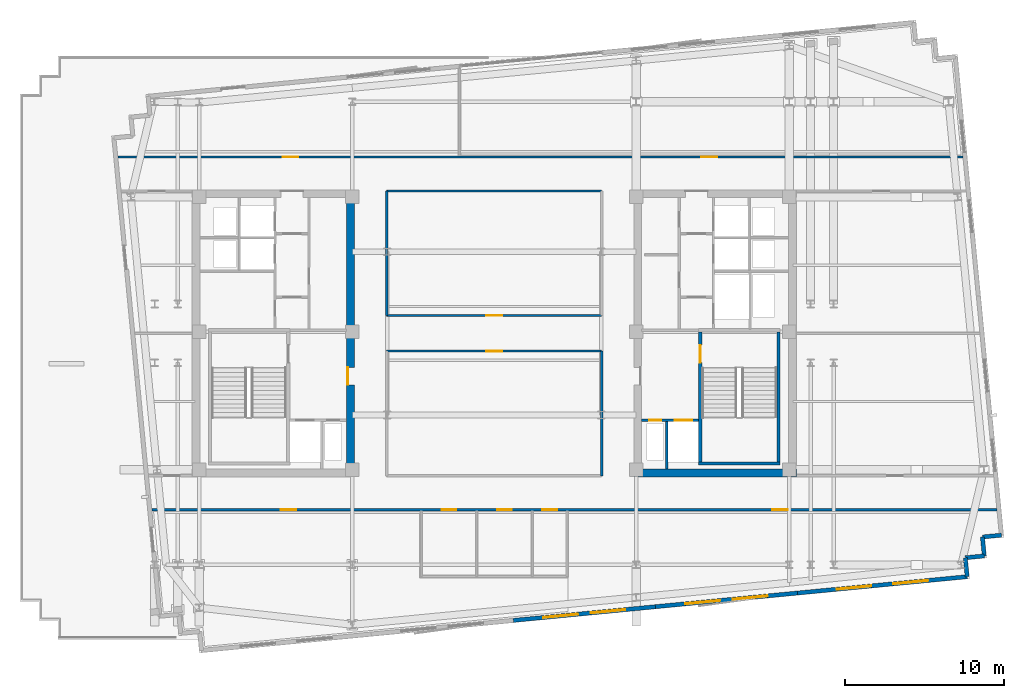
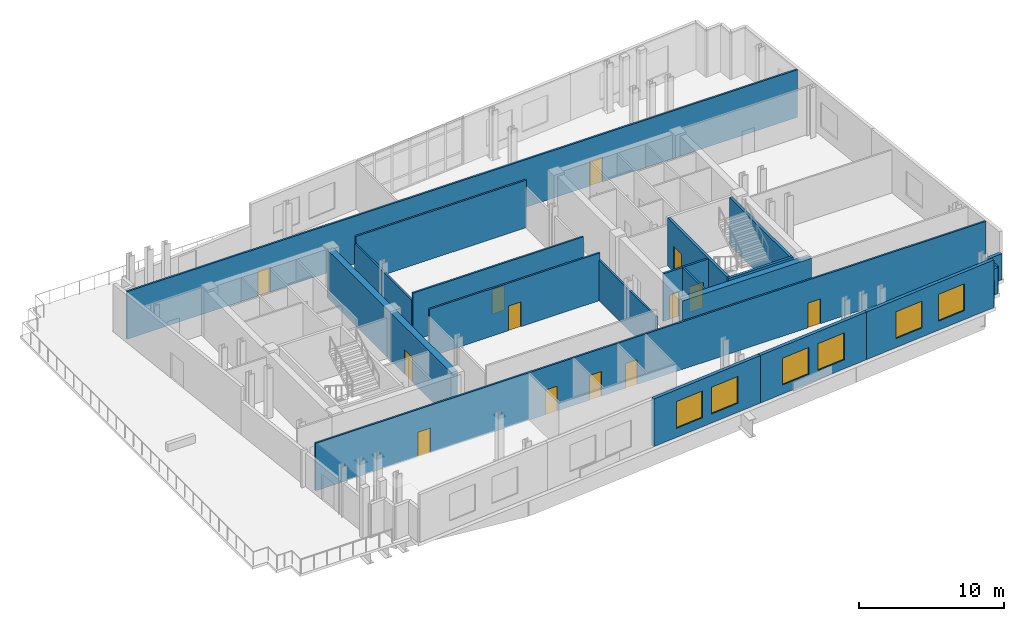
# One storey, part 6 of 11: 21 walls, 13 doors, 6 windows, 19 openings.
"""IFC4 building model written with IfcOpenShell, lengths in metres."""

from ifc_helpers import new_model, si_unit, direction, frame, frame_2d, origin, place, context, subcontext, project, spatial, rectangle, extrude, material, layer, layer_set, type_object, element, fill, save


model = new_model("IFC4")

# Units and contexts
model_context = context("Model", 3, precision=1e-05, world=origin(), true_north=direction((0.0, 1.0)))
body_context = subcontext(model_context, "Body", "Model", "MODEL_VIEW")
ifc_project = project(units=[si_unit("LENGTHUNIT", "METRE"), si_unit("AREAUNIT", "SQUARE_METRE"), si_unit("VOLUMEUNIT", "CUBIC_METRE"), si_unit("PLANEANGLEUNIT", "RADIAN"), si_unit("MASSUNIT", "GRAM", prefix="KILO")], contexts=[model_context])

# Site, building, storey
site_placement = place(None, origin())
site = spatial("IfcSite", under=ifc_project, at=site_placement, CompositionType="ELEMENT")
building_placement = place(site_placement, origin())
building = spatial("IfcBuilding", under=site, at=building_placement, Name="Velakula Bourse", CompositionType="ELEMENT")
storey_placement = place(building_placement, frame((0.0, 0.0, 247.5)))
storey = spatial("IfcBuildingStorey", under=building, at=storey_placement, Name="L67", CompositionType="ELEMENT", Elevation=247.5)

# Wall, opening, door
ifc_material_1 = material(Name="Concrete M50 (fck 50 MPa)", Category="concrete")
ifc_layer_1 = layer(ifc_material_1, 0.2099609375, Name="Concrete M50 (fck 50 MPa)", Category="concrete")
ifc_layer_set_1 = layer_set([ifc_layer_1], Name="Concrete M50 (fck 50 MPa)")
wall_type_1 = type_object("IfcWallType", Name="WL-CORE-210", PredefinedType="SHEAR", material=ifc_layer_set_1)
wall_1_placement = place(storey_placement, frame((12.9951171875, -8.10009765625, 0.0), z_axis=(0.0, 0.0, 1.0), x_axis=(0.0, 1.0, 0.0)))
wall_1 = element("IfcWall", 1, at=wall_1_placement, inside=storey, type_object=wall_type_1, Name="L67 Core E Stairwell Shear Wall IN", PredefinedType="SHEAR", context=body_context, shape_type="SweptSolid", body=[
    extrude(rectangle(XDim=8.2001953125, YDim=0.2099609375, at=frame_2d((4.10009765625, 0.0))), origin(), (0.0, 0.0, 1.0), 4.02001953125),
])
opening_1_placement = place(wall_1_placement, frame((6.25, 0.0, 0.0)))
opening_1 = element("IfcOpeningElement", 2, at=opening_1_placement, cuts=wall_1, Name="Opening D-STE1", PredefinedType="OPENING", context=body_context, shape_type="SweptSolid", body=[
    extrude(rectangle(XDim=1.10009765625, YDim=2.14990234375, at=frame_2d((0.550048828125, 1.074951171875))), frame((0.0, 0.114990234375, 0.0), z_axis=(0.0, -1.0, 0.0), x_axis=(1.0, 0.0, 0.0)), (0.0, 0.0, 1.0), 0.22998046875),
])
ifc_material_2 = material(Name="Galvanised painted hollow steel fire door", Category="steel")
door_type_1 = type_object("IfcDoorType", Name="DR-FD120-1100x2150", OperationType="NOTDEFINED", PredefinedType="DOOR", material=ifc_material_2)
door_1_placement = place(opening_1_placement, origin())
door_1 = element("IfcDoor", 3, at=door_1_placement, inside=storey, type_object=door_type_1, Name="L67 Stair ST-E1 Fire Door", OperationType="SINGLE_SWING_RIGHT", OverallHeight=2.14990234375, OverallWidth=1.10009765625, PredefinedType="DOOR", context=body_context, shape_type="SweptSolid", body=[
    extrude(rectangle(XDim=1.10009765625, YDim=2.14990234375, at=frame_2d((0.550048828125, 1.074951171875))), frame((0.0, 0.02490234375, 0.0), z_axis=(0.0, -1.0, 0.0), x_axis=(1.0, 0.0, 0.0)), (0.0, 0.0, 1.0), 0.050048828125),
])
fill(opening_1, door_1)

# Walls
wall_2_placement = place(storey_placement, frame((17.925048828125, -8.10009765625, 0.0), z_axis=(0.0, 0.0, 1.0), x_axis=(0.0, 1.0, 0.0)))
element("IfcWall", 4, at=wall_2_placement, inside=storey, type_object=wall_type_1, Name="L67 Core E Stairwell Shear Wall OUT", PredefinedType="SHEAR", context=body_context, shape_type="SweptSolid", body=[
    extrude(rectangle(XDim=8.2001953125, YDim=0.2099609375, at=frame_2d((4.10009765625, 0.0))), origin(), (0.0, 0.0, 1.0), 4.02001953125),
])
wall_3_placement = place(storey_placement, frame((12.889892578125, -8.205078125, 0.0), z_axis=(0.0, 0.0, 1.0), x_axis=(1.0, 0.0, 0.0)))
element("IfcWall", 5, at=wall_3_placement, inside=storey, type_object=wall_type_1, Name="L67 Core E Stairwell Shear Wall S", PredefinedType="SHEAR", context=body_context, shape_type="SweptSolid", body=[
    extrude(rectangle(XDim=5.14013671875, YDim=0.2099609375, at=frame_2d((2.570068359375, 0.0))), origin(), (0.0, 0.0, 1.0), 4.02001953125),
])

# Wall, opening, door
ifc_layer_2 = layer(ifc_material_1, 0.5, Name="Concrete M50 (fck 50 MPa)", Category="concrete")
ifc_layer_set_2 = layer_set([ifc_layer_2], Name="Concrete M50 (fck 50 MPa)")
wall_type_2 = type_object("IfcWallType", Name="WL-CORE-500", PredefinedType="SHEAR", material=ifc_layer_set_2)
wall_4_placement = place(storey_placement, frame((-9.050048828125, -8.550048828125, 0.0), z_axis=(0.0, 0.0, 1.0), x_axis=(0.0, 1.0, 0.0)))
wall_4 = element("IfcWall", 6, at=wall_4_placement, inside=storey, type_object=wall_type_2, Name="L67 Core W Shear Wall E", PredefinedType="SHEAR", context=body_context, shape_type="SweptSolid", body=[
    extrude(rectangle(XDim=17.10009765625, YDim=0.5, at=frame_2d((8.550048828125, 0.0))), origin(), (0.0, 0.0, 1.0), 4.02001953125),
])
opening_2_placement = place(wall_4_placement, frame((5.300048828125, 0.0, 0.0)))
opening_2 = element("IfcOpeningElement", 7, at=opening_2_placement, cuts=wall_4, Name="Opening D-FLW", PredefinedType="OPENING", context=body_context, shape_type="SweptSolid", body=[
    extrude(rectangle(XDim=1.10009765625, YDim=2.080078125, at=frame_2d((0.550048828125, 1.0400390625))), frame((0.0, 0.260009765625, 0.0), z_axis=(0.0, -1.0, 0.0), x_axis=(1.0, 0.0, 0.0)), (0.0, 0.0, 1.0), 0.52001953125),
])
door_type_2 = type_object("IfcDoorType", Name="DR-FD120-1100", OperationType="NOTDEFINED", PredefinedType="DOOR", material=ifc_material_2)
door_2_placement = place(opening_2_placement, origin())
door_2 = element("IfcDoor", 8, at=door_2_placement, inside=storey, type_object=door_type_2, Name="L67 Firefighting Lobby W Corridor Fire Door", OperationType="SINGLE_SWING_LEFT", OverallHeight=2.080078125, OverallWidth=1.10009765625, PredefinedType="DOOR", context=body_context, shape_type="SweptSolid", body=[
    extrude(rectangle(XDim=1.10009765625, YDim=2.080078125, at=frame_2d((0.550048828125, 1.0400390625))), frame((0.0, 0.205078125, 0.0), z_axis=(0.0, -1.0, 0.0), x_axis=(1.0, 0.0, 0.0)), (0.0, 0.0, 1.0), 0.050048828125),
])
fill(opening_2, door_2)

# Wall
wall_5_placement = place(storey_placement, frame((8.800048828125, -8.800048828125, 0.0), z_axis=(0.0, 0.0, 1.0), x_axis=(1.0, 0.0, 0.0)))
element("IfcWall", 9, at=wall_5_placement, inside=storey, type_object=wall_type_2, Name="L67 Core E Shear Wall S", PredefinedType="SHEAR", context=body_context, shape_type="SweptSolid", body=[
    extrude(rectangle(XDim=10.25, YDim=0.5, at=frame_2d((5.125, 0.0))), origin(), (0.0, 0.0, 1.0), 4.02001953125),
])

# Wall, openings, windows
ifc_material_3 = material(Name="Buff kilned clay facing brick masonry", Category="masonry")
ifc_layer_3 = layer(ifc_material_3, 0.260009765625, Name="Buff kilned clay facing brick masonry", Category="masonry")
ifc_layer_set_3 = layer_set([ifc_layer_3], Name="Buff kilned clay facing brick masonry")
wall_type_3 = type_object("IfcWallType", Name="WL-EXT-BRK-260", PredefinedType="STANDARD", material=ifc_layer_set_3)
wall_6_placement = place(storey_placement, frame((10.161376953125, -17.23779296875, 0.0), z_axis=(0.0, 0.0, 1.0), x_axis=(-0.995394206237, -0.095866439332, 0.0)))
wall_6 = element("IfcWall", 10, at=wall_6_placement, inside=storey, type_object=wall_type_3, Name="L67 S Brick Spandrel Wall B3", PredefinedType="STANDARD", context=body_context, shape_type="SweptSolid", body=[
    extrude(rectangle(XDim=9.0, YDim=0.260009765625, at=frame_2d((4.5, 0.0))), origin(), (0.0, 0.0, 1.0), 4.0),
])
opening_3_placement = place(wall_6_placement, frame((1.89990234375, 0.0, 0.760009765625)))
opening_3 = element("IfcOpeningElement", 11, at=opening_3_placement, cuts=wall_6, Name="Opening W-08", PredefinedType="OPENING", context=body_context, shape_type="SweptSolid", body=[
    extrude(rectangle(XDim=2.199951171875, YDim=2.25, at=frame_2d((1.10009765625, 1.125))), frame((0.0, 0.139892578125, 0.0), z_axis=(0.0, -1.0, 0.0), x_axis=(1.0, 0.0, 0.0)), (0.0, 0.0, 1.0), 0.280029296875),
])
opening_4_placement = place(wall_6_placement, frame((4.89990234375, 0.0, 0.760009765625)))
opening_4 = element("IfcOpeningElement", 12, at=opening_4_placement, cuts=wall_6, Name="Opening W-08", PredefinedType="OPENING", context=body_context, shape_type="SweptSolid", body=[
    extrude(rectangle(XDim=2.199951171875, YDim=2.25, at=frame_2d((1.10009765625, 1.125))), frame((0.0, 0.139892578125, 0.0), z_axis=(0.0, -1.0, 0.0), x_axis=(1.0, 0.0, 0.0)), (0.0, 0.0, 1.0), 0.280029296875),
])
ifc_material_4 = material(Name="Double-glazed solar-control Low-E glass", Category="glass")
window_type = type_object("IfcWindowType", Name="WIN-SL-2200x2500", PartitioningType="DOUBLE_PANEL_VERTICAL", PredefinedType="WINDOW", material=ifc_material_4)
window_1_placement = place(opening_3_placement, origin())
window_1 = element("IfcWindow", 13, at=window_1_placement, inside=storey, type_object=window_type, Name="L67 Deep-Set Recessed Window 1", OverallHeight=2.25, OverallWidth=2.199951171875, PartitioningType="DOUBLE_PANEL_VERTICAL", PredefinedType="WINDOW", context=body_context, shape_type="SweptSolid", body=[
    extrude(rectangle(XDim=2.199951171875, YDim=2.25, at=frame_2d((1.10009765625, 1.125))), frame((0.0, 0.030029296875, 0.0), z_axis=(0.0, -1.0, 0.0), x_axis=(1.0, 0.0, 0.0)), (0.0, 0.0, 1.0), 0.06005859375),
])
fill(opening_3, window_1)
window_2_placement = place(opening_4_placement, origin())
window_2 = element("IfcWindow", 14, at=window_2_placement, inside=storey, type_object=window_type, Name="L67 Deep-Set Recessed Window 2", OverallHeight=2.25, OverallWidth=2.199951171875, PartitioningType="DOUBLE_PANEL_VERTICAL", PredefinedType="WINDOW", context=body_context, shape_type="SweptSolid", body=[
    extrude(rectangle(XDim=2.199951171875, YDim=2.25, at=frame_2d((1.10009765625, 1.125))), frame((0.0, 0.030029296875, 0.0), z_axis=(0.0, -1.0, 0.0), x_axis=(1.0, 0.0, 0.0)), (0.0, 0.0, 1.0), 0.06005859375),
])
fill(opening_4, window_2)

wall_7_placement = place(storey_placement, frame((19.119873046875, -16.375244140625, 0.0), z_axis=(0.0, 0.0, 1.0), x_axis=(-0.995396794462, -0.09583956164, 0.0)))
wall_7 = element("IfcWall", 15, at=wall_7_placement, inside=storey, type_object=wall_type_3, Name="L67 S Brick Spandrel Wall B4", PredefinedType="STANDARD", context=body_context, shape_type="SweptSolid", body=[
    extrude(rectangle(XDim=9.0, YDim=0.260009765625, at=frame_2d((4.5, 0.0))), origin(), (0.0, 0.0, 1.0), 4.0),
])
opening_5_placement = place(wall_7_placement, frame((1.89990234375, 0.0, 0.760009765625)))
opening_5 = element("IfcOpeningElement", 16, at=opening_5_placement, cuts=wall_7, Name="Opening W-08", PredefinedType="OPENING", context=body_context, shape_type="SweptSolid", body=[
    extrude(rectangle(XDim=2.199951171875, YDim=2.25, at=frame_2d((1.10009765625, 1.125))), frame((0.0, 0.139892578125, 0.0), z_axis=(0.0, -1.0, 0.0), x_axis=(1.0, 0.0, 0.0)), (0.0, 0.0, 1.0), 0.280029296875),
])
opening_6_placement = place(wall_7_placement, frame((4.89990234375, 0.0, 0.760009765625)))
opening_6 = element("IfcOpeningElement", 17, at=opening_6_placement, cuts=wall_7, Name="Opening W-08", PredefinedType="OPENING", context=body_context, shape_type="SweptSolid", body=[
    extrude(rectangle(XDim=2.199951171875, YDim=2.25, at=frame_2d((1.10009765625, 1.125))), frame((0.0, 0.139892578125, 0.0), z_axis=(0.0, -1.0, 0.0), x_axis=(1.0, 0.0, 0.0)), (0.0, 0.0, 1.0), 0.280029296875),
])
window_3_placement = place(opening_5_placement, origin())
window_3 = element("IfcWindow", 18, at=window_3_placement, inside=storey, type_object=window_type, Name="L67 Deep-Set Recessed Window 1", OverallHeight=2.25, OverallWidth=2.199951171875, PartitioningType="DOUBLE_PANEL_VERTICAL", PredefinedType="WINDOW", context=body_context, shape_type="SweptSolid", body=[
    extrude(rectangle(XDim=2.199951171875, YDim=2.25, at=frame_2d((1.10009765625, 1.125))), frame((0.0, 0.030029296875, 0.0), z_axis=(0.0, -1.0, 0.0), x_axis=(1.0, 0.0, 0.0)), (0.0, 0.0, 1.0), 0.06005859375),
])
fill(opening_5, window_3)
window_4_placement = place(opening_6_placement, origin())
window_4 = element("IfcWindow", 19, at=window_4_placement, inside=storey, type_object=window_type, Name="L67 Deep-Set Recessed Window 2", OverallHeight=2.25, OverallWidth=2.199951171875, PartitioningType="DOUBLE_PANEL_VERTICAL", PredefinedType="WINDOW", context=body_context, shape_type="SweptSolid", body=[
    extrude(rectangle(XDim=2.199951171875, YDim=2.25, at=frame_2d((1.10009765625, 1.125))), frame((0.0, 0.030029296875, 0.0), z_axis=(0.0, -1.0, 0.0), x_axis=(1.0, 0.0, 0.0)), (0.0, 0.0, 1.0), 0.06005859375),
])
fill(opening_6, window_4)

wall_8_placement = place(storey_placement, frame((29.820556640625, -15.344970703125, 0.0), z_axis=(0.0, 0.0, 1.0), x_axis=(-0.995396954468, -0.095837899791, 0.0)))
wall_8 = element("IfcWall", 20, at=wall_8_placement, inside=storey, type_object=wall_type_3, Name="L67 S Brick Spandrel Wall B5", PredefinedType="STANDARD", context=body_context, shape_type="SweptSolid", body=[
    extrude(rectangle(XDim=10.750244140625, YDim=0.260009765625, at=frame_2d((5.375, 0.0))), origin(), (0.0, 0.0, 1.0), 4.0),
])
opening_7_placement = place(wall_8_placement, frame((2.4833984375, 0.0, 0.760009765625)))
opening_7 = element("IfcOpeningElement", 21, at=opening_7_placement, cuts=wall_8, Name="Opening W-08", PredefinedType="OPENING", context=body_context, shape_type="SweptSolid", body=[
    extrude(rectangle(XDim=2.199951171875, YDim=2.25, at=frame_2d((1.10009765625, 1.125))), frame((0.0, 0.139892578125, 0.0), z_axis=(0.0, -1.0, 0.0), x_axis=(1.0, 0.0, 0.0)), (0.0, 0.0, 1.0), 0.280029296875),
])
opening_8_placement = place(wall_8_placement, frame((6.066650390625, 0.0, 0.760009765625)))
opening_8 = element("IfcOpeningElement", 22, at=opening_8_placement, cuts=wall_8, Name="Opening W-08", PredefinedType="OPENING", context=body_context, shape_type="SweptSolid", body=[
    extrude(rectangle(XDim=2.199951171875, YDim=2.25, at=frame_2d((1.10009765625, 1.125))), frame((0.0, 0.139892578125, 0.0), z_axis=(0.0, -1.0, 0.0), x_axis=(1.0, 0.0, 0.0)), (0.0, 0.0, 1.0), 0.280029296875),
])
window_5_placement = place(opening_7_placement, origin())
window_5 = element("IfcWindow", 23, at=window_5_placement, inside=storey, type_object=window_type, Name="L67 Deep-Set Recessed Window 1", OverallHeight=2.25, OverallWidth=2.199951171875, PartitioningType="DOUBLE_PANEL_VERTICAL", PredefinedType="WINDOW", context=body_context, shape_type="SweptSolid", body=[
    extrude(rectangle(XDim=2.199951171875, YDim=2.25, at=frame_2d((1.10009765625, 1.125))), frame((0.0, 0.030029296875, 0.0), z_axis=(0.0, -1.0, 0.0), x_axis=(1.0, 0.0, 0.0)), (0.0, 0.0, 1.0), 0.06005859375),
])
fill(opening_7, window_5)
window_6_placement = place(opening_8_placement, origin())
window_6 = element("IfcWindow", 24, at=window_6_placement, inside=storey, type_object=window_type, Name="L67 Deep-Set Recessed Window 2", OverallHeight=2.25, OverallWidth=2.199951171875, PartitioningType="DOUBLE_PANEL_VERTICAL", PredefinedType="WINDOW", context=body_context, shape_type="SweptSolid", body=[
    extrude(rectangle(XDim=2.199951171875, YDim=2.25, at=frame_2d((1.10009765625, 1.125))), frame((0.0, 0.030029296875, 0.0), z_axis=(0.0, -1.0, 0.0), x_axis=(1.0, 0.0, 0.0)), (0.0, 0.0, 1.0), 0.06005859375),
])
fill(opening_8, window_6)

# Walls
for number, where, z_axis, x_axis, name in (
    (25, (29.820556640625, -15.344970703125, 0.0), (0.0, 0.0, 1.0), (-0.096018626938, 0.995379537303, 0.0), "L67 Serrated Corner Brick Wall SE-1"),
    (26, (29.705322265625, -14.150390625, 0.0), (0.0, 0.0, 1.0), (0.995398960025, 0.095817067274, 0.0), "L67 Serrated Corner Brick Wall SE-2"),
):
    element("IfcWall", number, at=place(storey_placement, frame(where, z_axis=z_axis, x_axis=x_axis)), inside=storey, type_object=wall_type_3, Name=name, PredefinedType="STANDARD", context=body_context, shape_type="SweptSolid", body=[
        extrude(rectangle(XDim=1.2001953125, YDim=0.260009765625, at=frame_2d((0.60009765625, 0.0))), origin(), (0.0, 0.0, 1.0), 2.195068359375),
    ])
wall_9_placement = place(storey_placement, frame((30.89990234375, -14.035400390625, 0.0), z_axis=(0.0, 0.0, 1.0), x_axis=(-0.095836473879, 0.995397091755, 0.0)))
element("IfcWall", 27, at=wall_9_placement, inside=storey, type_object=wall_type_3, Name="L67 Serrated Corner Brick Wall SE-3", PredefinedType="STANDARD", context=body_context, shape_type="SweptSolid", body=[
    extrude(rectangle(XDim=1.199951171875, YDim=0.260009765625, at=frame_2d((0.60009765625, 0.0))), origin(), (0.0, 0.0, 1.0), 2.195068359375),
])
wall_10_placement = place(storey_placement, frame((30.784912109375, -12.841064453125, 0.0), z_axis=(0.0, 0.0, 1.0), x_axis=(0.995398960025, 0.095817067274, 0.0)))
element("IfcWall", 28, at=wall_10_placement, inside=storey, type_object=wall_type_3, Name="L67 Serrated Corner Brick Wall SE-4", PredefinedType="STANDARD", context=body_context, shape_type="SweptSolid", body=[
    extrude(rectangle(XDim=1.2001953125, YDim=0.260009765625, at=frame_2d((0.60009765625, 0.0))), origin(), (0.0, 0.0, 1.0), 2.195068359375),
])

# Wall, openings, doors
ifc_material_5 = material(Name="Fire-rated double-layer gypsum drywall partition", Category="gypsum")
ifc_layer_4 = layer(ifc_material_5, 0.139892578125, Name="Fire-rated double-layer gypsum drywall partition", Category="gypsum")
ifc_layer_set_4 = layer_set([ifc_layer_4], Name="Fire-rated double-layer gypsum drywall partition")
wall_type_4 = type_object("IfcWallType", Name="WL-PART-140", PredefinedType="STANDARD", material=ifc_layer_set_4)
wall_11_placement = place(storey_placement, frame((-23.732666015625, 11.1201171875, 0.0), z_axis=(0.0, 0.0, 1.0), x_axis=(1.0, 0.0, 0.0)))
wall_11 = element("IfcWall", 29, at=wall_11_placement, inside=storey, type_object=wall_type_4, Name="L67 Interior Partition WL-INT-L67-N-CORR", PredefinedType="STANDARD", context=body_context, shape_type="SweptSolid", body=[
    extrude(rectangle(XDim=53.285400390625, YDim=0.139892578125, at=frame_2d((26.642578125, 0.0))), origin(), (0.0, 0.0, 1.0), 4.0),
])
opening_9_placement = place(wall_11_placement, frame((10.390869140625, 0.0, 0.0)))
opening_9 = element("IfcOpeningElement", 30, at=opening_9_placement, cuts=wall_11, Name="Opening D-OF1", PredefinedType="OPENING", context=body_context, shape_type="SweptSolid", body=[
    extrude(rectangle(XDim=1.0, YDim=2.080078125, at=frame_2d((0.5, 1.0400390625))), frame((0.0, 0.079833984375, 0.0), z_axis=(0.0, -1.0, 0.0), x_axis=(1.0, 0.0, 0.0)), (0.0, 0.0, 1.0), 0.159912109375),
])
opening_10_placement = place(wall_11_placement, frame((36.781494140625, 0.0, 0.0)))
opening_10 = element("IfcOpeningElement", 31, at=opening_10_placement, cuts=wall_11, Name="Opening D-OF1", PredefinedType="OPENING", context=body_context, shape_type="SweptSolid", body=[
    extrude(rectangle(XDim=1.0, YDim=2.080078125, at=frame_2d((0.5, 1.0400390625))), frame((0.0, 0.079833984375, 0.0), z_axis=(0.0, -1.0, 0.0), x_axis=(1.0, 0.0, 0.0)), (0.0, 0.0, 1.0), 0.159912109375),
])
ifc_material_6 = material(Name="Fire-rated hardwood flush architectural door", Category="wood")
door_type_3 = type_object("IfcDoorType", Name="DR-OFF-1000", OperationType="NOTDEFINED", PredefinedType="DOOR", material=ifc_material_6)
door_3_placement = place(opening_9_placement, origin())
door_3 = element("IfcDoor", 32, at=door_3_placement, inside=storey, type_object=door_type_3, Name="L67 Sky Reception Foyer Door", OperationType="SINGLE_SWING_LEFT", OverallHeight=2.080078125, OverallWidth=1.0, PredefinedType="DOOR", context=body_context, shape_type="SweptSolid", body=[
    extrude(rectangle(XDim=1.0, YDim=2.080078125, at=frame_2d((0.5, 1.0400390625))), frame((0.0, 0.02490234375, 0.0), z_axis=(0.0, -1.0, 0.0), x_axis=(1.0, 0.0, 0.0)), (0.0, 0.0, 1.0), 0.050048828125),
])
fill(opening_9, door_3)
door_4_placement = place(opening_10_placement, origin())
door_4 = element("IfcDoor", 33, at=door_4_placement, inside=storey, type_object=door_type_3, Name="L67 Yield Curve Seminar Room Door", OperationType="SINGLE_SWING_RIGHT", OverallHeight=2.080078125, OverallWidth=1.0, PredefinedType="DOOR", context=body_context, shape_type="SweptSolid", body=[
    extrude(rectangle(XDim=1.0, YDim=2.080078125, at=frame_2d((0.5, 1.0400390625))), frame((0.0, 0.02490234375, 0.0), z_axis=(0.0, -1.0, 0.0), x_axis=(1.0, 0.0, 0.0)), (0.0, 0.0, 1.0), 0.050048828125),
])
fill(opening_10, door_4)

wall_12_placement = place(storey_placement, frame((-21.59130859375, -11.1201171875, 0.0), z_axis=(0.0, 0.0, 1.0), x_axis=(1.0, 0.0, 0.0)))
wall_12 = element("IfcWall", 34, at=wall_12_placement, inside=storey, type_object=wall_type_4, Name="L67 Interior Partition WL-INT-L67-S-CORR", PredefinedType="STANDARD", context=body_context, shape_type="SweptSolid", body=[
    extrude(rectangle(XDim=53.285400390625, YDim=0.139892578125, at=frame_2d((26.642578125, 0.0))), origin(), (0.0, 0.0, 1.0), 4.0),
])
opening_11_placement = place(wall_12_placement, frame((18.28125, 0.0, 0.0)))
opening_11 = element("IfcOpeningElement", 35, at=opening_11_placement, cuts=wall_12, Name="Opening D-WT1", PredefinedType="OPENING", context=body_context, shape_type="SweptSolid", body=[
    extrude(rectangle(XDim=0.919921875, YDim=2.080078125, at=frame_2d((0.4599609375, 1.0400390625))), frame((0.0, 0.079833984375, 0.0), z_axis=(0.0, -1.0, 0.0), x_axis=(1.0, 0.0, 0.0)), (0.0, 0.0, 1.0), 0.159912109375),
])
opening_12_placement = place(wall_12_placement, frame((21.78125, 0.0, 0.0)))
opening_12 = element("IfcOpeningElement", 36, at=opening_12_placement, cuts=wall_12, Name="Opening D-WT1", PredefinedType="OPENING", context=body_context, shape_type="SweptSolid", body=[
    extrude(rectangle(XDim=0.919921875, YDim=2.080078125, at=frame_2d((0.4599609375, 1.0400390625))), frame((0.0, 0.079833984375, 0.0), z_axis=(0.0, -1.0, 0.0), x_axis=(1.0, 0.0, 0.0)), (0.0, 0.0, 1.0), 0.159912109375),
])
opening_13_placement = place(wall_12_placement, frame((24.631103515625, 0.0, 0.0)))
opening_13 = element("IfcOpeningElement", 37, at=opening_13_placement, cuts=wall_12, Name="Opening D-WC1", PredefinedType="OPENING", context=body_context, shape_type="SweptSolid", body=[
    extrude(rectangle(XDim=0.919921875, YDim=2.080078125, at=frame_2d((0.4599609375, 1.0400390625))), frame((0.0, 0.079833984375, 0.0), z_axis=(0.0, -1.0, 0.0), x_axis=(1.0, 0.0, 0.0)), (0.0, 0.0, 1.0), 0.159912109375),
])
opening_14_placement = place(wall_12_placement, frame((8.12158203125, 0.0, 0.0)))
opening_14 = element("IfcOpeningElement", 38, at=opening_14_placement, cuts=wall_12, Name="Opening D-OF1", PredefinedType="OPENING", context=body_context, shape_type="SweptSolid", body=[
    extrude(rectangle(XDim=1.0, YDim=2.080078125, at=frame_2d((0.5, 1.0400390625))), frame((0.0, 0.079833984375, 0.0), z_axis=(0.0, -1.0, 0.0), x_axis=(1.0, 0.0, 0.0)), (0.0, 0.0, 1.0), 0.159912109375),
])
opening_15_placement = place(wall_12_placement, frame((39.1123046875, 0.0, 0.0)))
opening_15 = element("IfcOpeningElement", 39, at=opening_15_placement, cuts=wall_12, Name="Opening D-OF1", PredefinedType="OPENING", context=body_context, shape_type="SweptSolid", body=[
    extrude(rectangle(XDim=1.0, YDim=2.080078125, at=frame_2d((0.5, 1.0400390625))), frame((0.0, 0.079833984375, 0.0), z_axis=(0.0, -1.0, 0.0), x_axis=(1.0, 0.0, 0.0)), (0.0, 0.0, 1.0), 0.159912109375),
])
door_5_placement = place(opening_14_placement, origin())
door_5 = element("IfcDoor", 40, at=door_5_placement, inside=storey, type_object=door_type_3, Name="L67 Breakout Dining Lounge Door", OperationType="SINGLE_SWING_RIGHT", OverallHeight=2.080078125, OverallWidth=1.0, PredefinedType="DOOR", context=body_context, shape_type="SweptSolid", body=[
    extrude(rectangle(XDim=1.0, YDim=2.080078125, at=frame_2d((0.5, 1.0400390625))), frame((0.0, 0.02490234375, 0.0), z_axis=(0.0, -1.0, 0.0), x_axis=(1.0, 0.0, 0.0)), (0.0, 0.0, 1.0), 0.050048828125),
])
fill(opening_14, door_5)
door_6_placement = place(opening_15_placement, origin())
door_6 = element("IfcDoor", 41, at=door_6_placement, inside=storey, type_object=door_type_3, Name="L67 Treasury Operations Office Door", OperationType="SINGLE_SWING_LEFT", OverallHeight=2.080078125, OverallWidth=1.0, PredefinedType="DOOR", context=body_context, shape_type="SweptSolid", body=[
    extrude(rectangle(XDim=1.0, YDim=2.080078125, at=frame_2d((0.5, 1.0400390625))), frame((0.0, 0.02490234375, 0.0), z_axis=(0.0, -1.0, 0.0), x_axis=(1.0, 0.0, 0.0)), (0.0, 0.0, 1.0), 0.050048828125),
])
fill(opening_15, door_6)
door_type_4 = type_object("IfcDoorType", Name="DR-WC-950", OperationType="NOTDEFINED", PredefinedType="DOOR", material=ifc_material_6)
door_7_placement = place(opening_11_placement, origin())
door_7 = element("IfcDoor", 42, at=door_7_placement, inside=storey, type_object=door_type_4, Name="L67 Male Staff Toilet Door", OperationType="SINGLE_SWING_LEFT", OverallHeight=2.080078125, OverallWidth=0.919921875, PredefinedType="DOOR", context=body_context, shape_type="SweptSolid", body=[
    extrude(rectangle(XDim=0.919921875, YDim=2.080078125, at=frame_2d((0.4599609375, 1.0400390625))), frame((0.0, 0.02490234375, 0.0), z_axis=(0.0, -1.0, 0.0), x_axis=(1.0, 0.0, 0.0)), (0.0, 0.0, 1.0), 0.050048828125),
])
fill(opening_11, door_7)
door_8_placement = place(opening_12_placement, origin())
door_8 = element("IfcDoor", 43, at=door_8_placement, inside=storey, type_object=door_type_4, Name="L67 Female Staff Toilet Door", OperationType="SINGLE_SWING_RIGHT", OverallHeight=2.080078125, OverallWidth=0.919921875, PredefinedType="DOOR", context=body_context, shape_type="SweptSolid", body=[
    extrude(rectangle(XDim=0.919921875, YDim=2.080078125, at=frame_2d((0.4599609375, 1.0400390625))), frame((0.0, 0.02490234375, 0.0), z_axis=(0.0, -1.0, 0.0), x_axis=(1.0, 0.0, 0.0)), (0.0, 0.0, 1.0), 0.050048828125),
])
fill(opening_12, door_8)
door_9_placement = place(opening_13_placement, origin())
door_9 = element("IfcDoor", 44, at=door_9_placement, inside=storey, type_object=door_type_4, Name="L67 Accessible WC Door", OperationType="SINGLE_SWING_LEFT", OverallHeight=2.080078125, OverallWidth=0.919921875, PredefinedType="DOOR", context=body_context, shape_type="SweptSolid", body=[
    extrude(rectangle(XDim=0.919921875, YDim=2.080078125, at=frame_2d((0.4599609375, 1.0400390625))), frame((0.0, 0.02490234375, 0.0), z_axis=(0.0, -1.0, 0.0), x_axis=(1.0, 0.0, 0.0)), (0.0, 0.0, 1.0), 0.050048828125),
])
fill(opening_13, door_9)

# Wall, opening, door
wall_13_placement = place(storey_placement, frame((-6.780029296875, 1.1201171875, 0.0), z_axis=(0.0, 0.0, 1.0), x_axis=(1.0, 0.0, 0.0)))
wall_13 = element("IfcWall", 45, at=wall_13_placement, inside=storey, type_object=wall_type_4, Name="L67 Interior Partition WL-INT-L67-MN-IN", PredefinedType="STANDARD", context=body_context, shape_type="SweptSolid", body=[
    extrude(rectangle(XDim=13.56005859375, YDim=0.139892578125, at=frame_2d((6.780029296875, 0.0))), origin(), (0.0, 0.0, 1.0), 4.0),
])
opening_16_placement = place(wall_13_placement, frame((6.280029296875, 0.0, 0.0)))
opening_16 = element("IfcOpeningElement", 46, at=opening_16_placement, cuts=wall_13, Name="Opening D-OF1", PredefinedType="OPENING", context=body_context, shape_type="SweptSolid", body=[
    extrude(rectangle(XDim=1.0, YDim=2.080078125, at=frame_2d((0.5, 1.0400390625))), frame((0.0, 0.079833984375, 0.0), z_axis=(0.0, -1.0, 0.0), x_axis=(1.0, 0.0, 0.0)), (0.0, 0.0, 1.0), 0.159912109375),
])
door_10_placement = place(opening_16_placement, origin())
door_10 = element("IfcDoor", 47, at=door_10_placement, inside=storey, type_object=door_type_3, Name="L67 Bullion Assay Office Door", OperationType="SINGLE_SWING_RIGHT", OverallHeight=2.080078125, OverallWidth=1.0, PredefinedType="DOOR", context=body_context, shape_type="SweptSolid", body=[
    extrude(rectangle(XDim=1.0, YDim=2.080078125, at=frame_2d((0.5, 1.0400390625))), frame((0.0, 0.02490234375, 0.0), z_axis=(0.0, -1.0, 0.0), x_axis=(1.0, 0.0, 0.0)), (0.0, 0.0, 1.0), 0.050048828125),
])
fill(opening_16, door_10)

# Walls
wall_14_placement = place(storey_placement, frame((-6.780029296875, 8.97998046875, 0.0), z_axis=(0.0, 0.0, 1.0), x_axis=(1.0, 0.0, 0.0)))
element("IfcWall", 48, at=wall_14_placement, inside=storey, type_object=wall_type_4, Name="L67 Interior Partition WL-INT-L67-MN-OUT", PredefinedType="STANDARD", context=body_context, shape_type="SweptSolid", body=[
    extrude(rectangle(XDim=13.56005859375, YDim=0.139892578125, at=frame_2d((6.780029296875, 0.0))), origin(), (0.0, 0.0, 1.0), 4.0),
])
wall_15_placement = place(storey_placement, frame((-6.780029296875, 1.1201171875, 0.0), z_axis=(0.0, 0.0, 1.0), x_axis=(0.0, 1.0, 0.0)))
element("IfcWall", 49, at=wall_15_placement, inside=storey, type_object=wall_type_4, Name="L67 Interior Partition WL-INT-L67-MN-W", PredefinedType="STANDARD", context=body_context, shape_type="SweptSolid", body=[
    extrude(rectangle(XDim=7.85986328125, YDim=0.139892578125, at=frame_2d((3.929931640625, 0.0))), origin(), (0.0, 0.0, 1.0), 3.39501953125),
])

# Wall, opening, door
wall_16_placement = place(storey_placement, frame((-6.780029296875, -1.1201171875, 0.0), z_axis=(0.0, 0.0, 1.0), x_axis=(1.0, 0.0, 0.0)))
wall_16 = element("IfcWall", 50, at=wall_16_placement, inside=storey, type_object=wall_type_4, Name="L67 Interior Partition WL-INT-L67-MS-IN", PredefinedType="STANDARD", context=body_context, shape_type="SweptSolid", body=[
    extrude(rectangle(XDim=13.56005859375, YDim=0.139892578125, at=frame_2d((6.780029296875, 0.0))), origin(), (0.0, 0.0, 1.0), 4.0),
])
opening_17_placement = place(wall_16_placement, frame((6.280029296875, 0.0, 0.0)))
opening_17 = element("IfcOpeningElement", 51, at=opening_17_placement, cuts=wall_16, Name="Opening D-OF1", PredefinedType="OPENING", context=body_context, shape_type="SweptSolid", body=[
    extrude(rectangle(XDim=1.0, YDim=2.080078125, at=frame_2d((0.5, 1.0400390625))), frame((0.0, 0.079833984375, 0.0), z_axis=(0.0, -1.0, 0.0), x_axis=(1.0, 0.0, 0.0)), (0.0, 0.0, 1.0), 0.159912109375),
])
door_11_placement = place(opening_17_placement, origin())
door_11 = element("IfcDoor", 52, at=door_11_placement, inside=storey, type_object=door_type_3, Name="L67 Asset Allocation Office Door", OperationType="SINGLE_SWING_LEFT", OverallHeight=2.080078125, OverallWidth=1.0, PredefinedType="DOOR", context=body_context, shape_type="SweptSolid", body=[
    extrude(rectangle(XDim=1.0, YDim=2.080078125, at=frame_2d((0.5, 1.0400390625))), frame((0.0, 0.02490234375, 0.0), z_axis=(0.0, -1.0, 0.0), x_axis=(1.0, 0.0, 0.0)), (0.0, 0.0, 1.0), 0.050048828125),
])
fill(opening_17, door_11)

# Wall
wall_17_placement = place(storey_placement, frame((6.780029296875, -8.97998046875, 0.0), z_axis=(0.0, 0.0, 1.0), x_axis=(0.0, 1.0, 0.0)))
element("IfcWall", 53, at=wall_17_placement, inside=storey, type_object=wall_type_4, Name="L67 Interior Partition WL-INT-L67-MS-E", PredefinedType="STANDARD", context=body_context, shape_type="SweptSolid", body=[
    extrude(rectangle(XDim=7.85986328125, YDim=0.139892578125, at=frame_2d((3.929931640625, 0.0))), origin(), (0.0, 0.0, 1.0), 3.39501953125),
])

# Wall, openings, doors
ifc_material_7 = material(Name="Autoclaved aerated concrete blockwork masonry", Category="masonry")
ifc_layer_5 = layer(ifc_material_7, 0.14990234375, Name="Autoclaved aerated concrete blockwork masonry", Category="masonry")
ifc_layer_set_5 = layer_set([ifc_layer_5], Name="Autoclaved aerated concrete blockwork masonry")
wall_type_5 = type_object("IfcWallType", Name="WL-SHAFT-150", PredefinedType="STANDARD", material=ifc_layer_set_5)
wall_18_placement = place(storey_placement, frame((9.300048828125, -5.47509765625, 0.0), z_axis=(0.0, 0.0, 1.0), x_axis=(1.0, 0.0, 0.0)))
wall_18 = element("IfcWall", 54, at=wall_18_placement, inside=storey, type_object=wall_type_5, Name="L67 Interior Partition WL-CRE-L67-FFL-N", PredefinedType="STANDARD", context=body_context, shape_type="SweptSolid", body=[
    extrude(rectangle(XDim=3.594970703125, YDim=0.14990234375, at=frame_2d((1.79736328125, 0.0))), origin(), (0.0, 0.0, 1.0), 4.0),
])
opening_18_placement = place(wall_18_placement, frame((2.074951171875, 0.0, 0.0)))
opening_18 = element("IfcOpeningElement", 55, at=opening_18_placement, cuts=wall_18, Name="Opening LD-FFL-2", PredefinedType="OPENING", context=body_context, shape_type="SweptSolid", body=[
    extrude(rectangle(XDim=1.10009765625, YDim=2.14990234375, at=frame_2d((0.550048828125, 1.074951171875))), frame((0.0, 0.0849609375, 0.0), z_axis=(0.0, -1.0, 0.0), x_axis=(1.0, 0.0, 0.0)), (0.0, 0.0, 1.0), 0.169921875),
])
opening_19_placement = place(wall_18_placement, frame((0.47509765625, 0.0, 0.0)))
opening_19 = element("IfcOpeningElement", 56, at=opening_19_placement, cuts=wall_18, Name="Opening D-RS1", PredefinedType="OPENING", context=body_context, shape_type="SweptSolid", body=[
    extrude(rectangle(XDim=0.75, YDim=2.050048828125, at=frame_2d((0.375, 1.02490234375))), frame((0.0, 0.0849609375, 0.0), z_axis=(0.0, -1.0, 0.0), x_axis=(1.0, 0.0, 0.0)), (0.0, 0.0, 1.0), 0.169921875),
])
door_type_5 = type_object("IfcDoorType", Name="DR-RISER-800", OperationType="NOTDEFINED", PredefinedType="DOOR", material=ifc_material_2)
door_12_placement = place(opening_19_placement, origin())
door_12 = element("IfcDoor", 57, at=door_12_placement, inside=storey, type_object=door_type_5, Name="L67 Fire Riser Access Door", OperationType="SINGLE_SWING_LEFT", OverallHeight=2.050048828125, OverallWidth=0.75, PredefinedType="DOOR", context=body_context, shape_type="SweptSolid", body=[
    extrude(rectangle(XDim=0.75, YDim=2.050048828125, at=frame_2d((0.375, 1.02490234375))), frame((0.0, 0.02490234375, 0.0), z_axis=(0.0, -1.0, 0.0), x_axis=(1.0, 0.0, 0.0)), (0.0, 0.0, 1.0), 0.050048828125),
])
fill(opening_19, door_12)
ifc_material_8 = material(Name="Brushed grade 316 stainless steel", Category="steel")
door_type_6 = type_object("IfcDoorType", Name="DR-SLIDE-FFL-1100", OperationType="DOUBLE_DOOR_SLIDING", PredefinedType="DOOR", material=ifc_material_8)
door_13_placement = place(opening_18_placement, origin())
door_13 = element("IfcDoor", 58, at=door_13_placement, inside=storey, type_object=door_type_6, Name="L67 Firefighting Lift FFL-2 Sliding Landing Door", OperationType="DOUBLE_DOOR_SLIDING", OverallHeight=2.14990234375, OverallWidth=1.10009765625, PredefinedType="DOOR", context=body_context, shape_type="SweptSolid", body=[
    extrude(rectangle(XDim=1.10009765625, YDim=2.14990234375, at=frame_2d((0.550048828125, 1.074951171875))), frame((0.0, 0.02490234375, 0.0), z_axis=(0.0, -1.0, 0.0), x_axis=(1.0, 0.0, 0.0)), (0.0, 0.0, 1.0), 0.050048828125),
])
fill(opening_18, door_13)

# Wall
wall_19_placement = place(storey_placement, frame((10.875, -8.550048828125, 0.0), z_axis=(0.0, 0.0, 1.0), x_axis=(0.0, 1.0, 0.0)))
element("IfcWall", 59, at=wall_19_placement, inside=storey, type_object=wall_type_5, Name="L67 Interior Partition WL-CRE-L67-FR-DIV", PredefinedType="STANDARD", context=body_context, shape_type="SweptSolid", body=[
    extrude(rectangle(XDim=3.0, YDim=0.14990234375, at=frame_2d((1.5, 0.0))), origin(), (0.0, 0.0, 1.0), 4.0),
])

save(model, "model.ifc")
